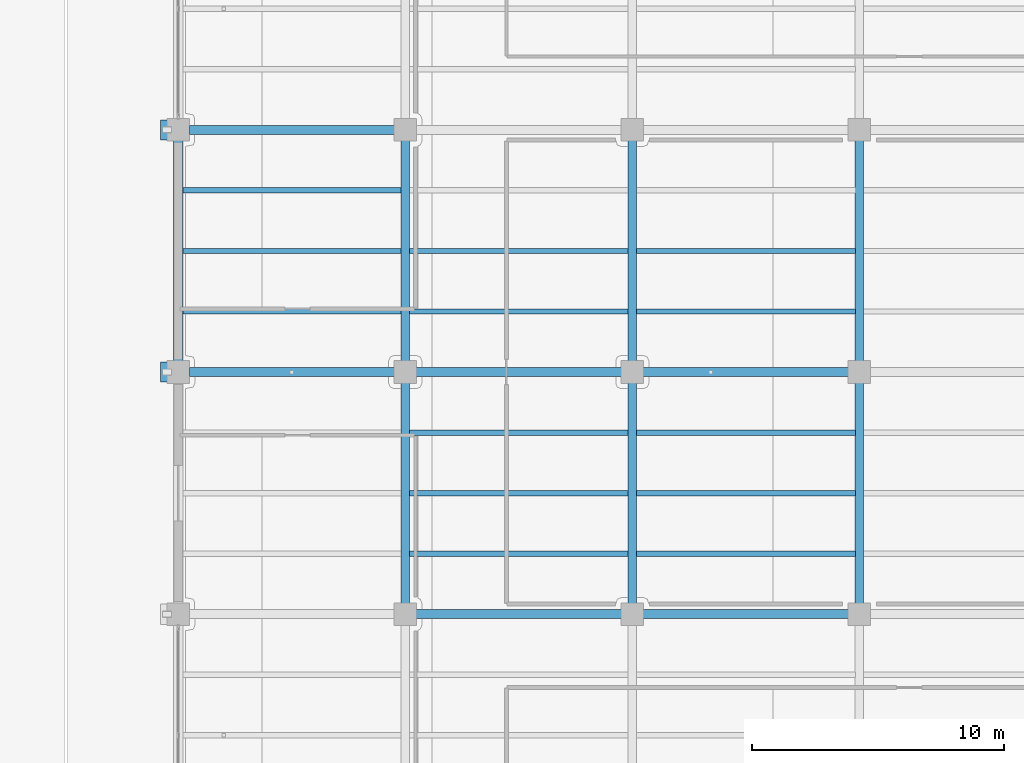
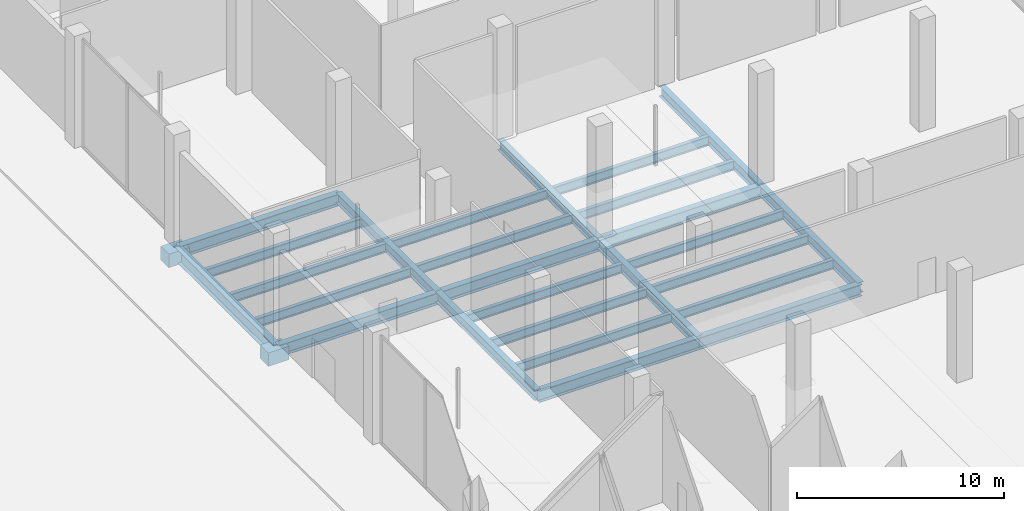
# One storey, part 8 of 45: 28 beams.
"""IFC4 building model written with IfcOpenShell, lengths in metres."""

from ifc_helpers import new_model, si_unit, direction, frame, origin, origin_2d, place, context, subcontext, project, spatial, rectangle, i_section, extrude, material, material_profile, profile_set, type_object, element, save


model = new_model("IFC4")

# Units and contexts
model_context = context("Model", 3, precision=1e-05, world=origin(), true_north=direction((0.0, 1.0)))
body_context = subcontext(model_context, "Body", "Model", "MODEL_VIEW")
ifc_project = project(units=[si_unit("LENGTHUNIT", "METRE"), si_unit("AREAUNIT", "SQUARE_METRE"), si_unit("VOLUMEUNIT", "CUBIC_METRE"), si_unit("PLANEANGLEUNIT", "RADIAN"), si_unit("MASSUNIT", "GRAM", prefix="KILO")], contexts=[model_context])

# Site, building, storey
site_placement = place(None, origin())
site = spatial("IfcSite", under=ifc_project, at=site_placement, CompositionType="ELEMENT")
building_placement = place(site_placement, origin())
building = spatial("IfcBuilding", under=site, at=building_placement, Name="Qorvath Tower", CompositionType="ELEMENT")
storey_placement = place(building_placement, origin())
storey = spatial("IfcBuildingStorey", under=building, at=storey_placement, Name="L00", CompositionType="ELEMENT", Elevation=0.0)

# Beams
ifc_material_1 = material(Name="Concrete C50/60", Category="concrete")
ifc_material_profile_1 = material_profile(ifc_material_1, rectangle(XDim=0.800048828125, YDim=0.800048828125, at=origin_2d()), Name="RC 800x800")
ifc_profile_set_1 = profile_set([ifc_material_profile_1], Name="Concrete C50/60")
beam_type_1 = type_object("IfcBeamType", Name="BM-CRB1", PredefinedType="BEAM", material=ifc_profile_set_1)
for number, where, z_axis, x_axis, name in (
    (1, (32.85009765625, 0.0, -0.75), (-1.0, 0.0, 0.0), (0.0, -1.0, 0.0), "MJ-1 RC Bearing Corbel Bracket 05"),
    (2, (32.85009765625, 9.60009765625, -0.75), (-1.0, 0.0, 0.0), (0.0, -1.0, 0.0), "MJ-1 RC Bearing Corbel Bracket 06"),
):
    element("IfcBeam", number, at=place(storey_placement, frame(where, z_axis=z_axis, x_axis=x_axis)), inside=storey, type_object=beam_type_1, Name=name, PredefinedType="BEAM", context=body_context, shape_type="SweptSolid", body=[
        extrude(rectangle(XDim=0.800048828125, YDim=0.800048828125, at=origin_2d()), origin(), (0.0, 0.0, 1.0), 1.150146484375),
    ])
ifc_material_2 = material(Name="Steel ASTM A992 Grade 50", Category="steel")
ifc_material_profile_2 = material_profile(ifc_material_2, i_section(OverallWidth=0.381103515625, OverallDepth=0.77294921875, WebThickness=0.0166015625, FlangeThickness=0.027099609375, FilletRadius=0.01904296875, at=origin_2d()), Name="W30x173")
ifc_profile_set_2 = profile_set([ifc_material_profile_2], Name="Steel ASTM A992 Grade 50")
beam_type_2 = type_object("IfcBeamType", Name="BM-FG3", PredefinedType="BEAM", material=ifc_profile_set_2)
beam_1_placement = place(storey_placement, frame((32.39990234375, 0.0, -0.6865234375), z_axis=(0.0, 1.0, 0.0), x_axis=(-1.0, 0.0, 0.0)))
element("IfcBeam", 3, at=beam_1_placement, inside=storey, type_object=beam_type_2, Name="Library N-S Girder L00-1-5", PredefinedType="BEAM", context=body_context, shape_type="SweptSolid", body=[
    extrude(i_section(OverallWidth=0.381103515625, OverallDepth=0.77294921875, WebThickness=0.0166015625, FlangeThickness=0.027099609375, FilletRadius=0.01904296875, at=origin_2d()), origin(), (0.0, 0.0, 1.0), 9.60009765625),
])
ifc_material_3 = material(Name="Steel ASTM A992 Grade 50", Category="steel")
ifc_material_profile_3 = material_profile(ifc_material_3, i_section(OverallWidth=0.35595703125, OverallDepth=0.696044921875, WebThickness=0.015380859375, FlangeThickness=0.02490234375, FilletRadius=0.01806640625, at=origin_2d()), Name="W27x146")
ifc_profile_set_3 = profile_set([ifc_material_profile_3], Name="Steel ASTM A992 Grade 50")
beam_type_3 = type_object("IfcBeamType", Name="BM-FG4", PredefinedType="BEAM", material=ifc_profile_set_3)
for number, where, z_axis, x_axis, name in (
    (4, (41.39990234375, -9.60009765625, -0.64794921875), (1.0, 0.0, 0.0), (0.0, 1.0, 0.0), "Library E-W Girder L00-4-2"),
    (5, (50.39990234375, -9.60009765625, -0.64794921875), (1.0, 0.0, 0.0), (0.0, 1.0, 0.0), "Library E-W Girder L00-4-3"),
    (6, (32.39990234375, 0.0, -0.64794921875), (1.0, 0.0, 0.0), (0.0, 1.0, 0.0), "Library E-W Girder L00-5-1"),
    (7, (41.39990234375, 0.0, -0.64794921875), (1.0, 0.0, 0.0), (0.0, 1.0, 0.0), "Library E-W Girder L00-5-2"),
    (8, (50.39990234375, 0.0, -0.64794921875), (1.0, 0.0, 0.0), (0.0, 1.0, 0.0), "Library E-W Girder L00-5-3"),
    (9, (32.39990234375, 9.60009765625, -0.64794921875), (1.0, 0.0, 0.0), (0.0, 1.0, 0.0), "Library E-W Girder L00-6-1"),
):
    element("IfcBeam", number, at=place(storey_placement, frame(where, z_axis=z_axis, x_axis=x_axis)), inside=storey, type_object=beam_type_3, Name=name, PredefinedType="BEAM", context=body_context, shape_type="SweptSolid", body=[
        extrude(i_section(OverallWidth=0.35595703125, OverallDepth=0.696044921875, WebThickness=0.015380859375, FlangeThickness=0.02490234375, FilletRadius=0.01806640625, at=origin_2d()), origin(), (0.0, 0.0, 1.0), 9.0),
    ])
ifc_material_4 = material(Name="Steel ASTM A992 Grade 50", Category="steel")
ifc_material_profile_4 = material_profile(ifc_material_4, i_section(OverallWidth=0.324951171875, OverallDepth=0.615966796875, WebThickness=0.013916015625, FlangeThickness=0.021484375, FilletRadius=0.01611328125, at=origin_2d()), Name="W24x117")
ifc_profile_set_4 = profile_set([ifc_material_profile_4], Name="Steel ASTM A992 Grade 50")
beam_type_4 = type_object("IfcBeamType", Name="BM-FG5", PredefinedType="BEAM", material=ifc_profile_set_4)
for number, where, z_axis, x_axis, name in (
    (10, (41.39990234375, -9.60009765625, -0.60791015625), (0.0, 1.0, 0.0), (-1.0, 0.0, 0.0), "Library N-S Girder L00-2-4"),
    (11, (41.39990234375, 0.0, -0.60791015625), (0.0, 1.0, 0.0), (-1.0, 0.0, 0.0), "Library N-S Girder L00-2-5"),
    (12, (50.39990234375, -9.60009765625, -0.60791015625), (0.0, 1.0, 0.0), (-1.0, 0.0, 0.0), "Library N-S Girder L00-3-4"),
    (13, (50.39990234375, 0.0, -0.60791015625), (0.0, 1.0, 0.0), (-1.0, 0.0, 0.0), "Library N-S Girder L00-3-5"),
    (14, (59.39990234375, -9.60009765625, -0.60791015625), (0.0, 1.0, 0.0), (-1.0, 0.0, 0.0), "Library N-S Girder L00-4-4"),
    (15, (59.39990234375, 0.0, -0.60791015625), (0.0, 1.0, 0.0), (-1.0, 0.0, 0.0), "Library N-S Girder L00-4-5"),
):
    element("IfcBeam", number, at=place(storey_placement, frame(where, z_axis=z_axis, x_axis=x_axis)), inside=storey, type_object=beam_type_4, Name=name, PredefinedType="BEAM", context=body_context, shape_type="SweptSolid", body=[
        extrude(i_section(OverallWidth=0.324951171875, OverallDepth=0.615966796875, WebThickness=0.013916015625, FlangeThickness=0.021484375, FilletRadius=0.01611328125, at=origin_2d()), origin(), (0.0, 0.0, 1.0), 9.60009765625),
    ])
ifc_material_5 = material(Name="Steel ASTM A992 Grade 50", Category="steel")
ifc_material_profile_5 = material_profile(ifc_material_5, i_section(OverallWidth=0.2119140625, OverallDepth=0.5439453125, WebThickness=0.01318359375, FlangeThickness=0.021240234375, FilletRadius=0.013916015625, at=origin_2d()), Name="W21x83")
ifc_profile_set_5 = profile_set([ifc_material_profile_5], Name="Steel ASTM A992 Grade 50")
beam_type_5 = type_object("IfcBeamType", Name="BM-FJ1", PredefinedType="JOIST", material=ifc_profile_set_5)
for number, where, z_axis, x_axis, name in (
    (16, (41.560546875, -7.199951171875, -0.572021484375), (1.0, 0.0, 0.0), (0.0, 1.0, 0.0), "Library Stack Joist L00-4.1-2"),
    (17, (50.560546875, -7.199951171875, -0.572021484375), (1.0, 0.0, 0.0), (0.0, 1.0, 0.0), "Library Stack Joist L00-4.1-3"),
    (18, (41.560546875, -4.800048828125, -0.572021484375), (1.0, 0.0, 0.0), (0.0, 1.0, 0.0), "Library Stack Joist L00-4.2-2"),
    (19, (50.560546875, -4.800048828125, -0.572021484375), (1.0, 0.0, 0.0), (0.0, 1.0, 0.0), "Library Stack Joist L00-4.2-3"),
    (20, (41.560546875, -2.39990234375, -0.572021484375), (1.0, 0.0, 0.0), (0.0, 1.0, 0.0), "Library Stack Joist L00-4.3-2"),
    (21, (50.560546875, -2.39990234375, -0.572021484375), (1.0, 0.0, 0.0), (0.0, 1.0, 0.0), "Library Stack Joist L00-4.3-3"),
):
    element("IfcBeam", number, at=place(storey_placement, frame(where, z_axis=z_axis, x_axis=x_axis)), inside=storey, type_object=beam_type_5, Name=name, PredefinedType="JOIST", context=body_context, shape_type="SweptSolid", body=[
        extrude(i_section(OverallWidth=0.2119140625, OverallDepth=0.5439453125, WebThickness=0.01318359375, FlangeThickness=0.021240234375, FilletRadius=0.013916015625, at=origin_2d()), origin(), (0.0, 0.0, 1.0), 8.678955078125),
    ])
beam_2_placement = place(storey_placement, frame((32.58837890625, 2.39990234375, -0.572021484375), z_axis=(1.0, 0.0, 0.0), x_axis=(0.0, 1.0, 0.0)))
element("IfcBeam", 22, at=beam_2_placement, inside=storey, type_object=beam_type_5, Name="Library Stack Joist L00-5.1-1", PredefinedType="JOIST", context=body_context, shape_type="SweptSolid", body=[
    extrude(i_section(OverallWidth=0.2119140625, OverallDepth=0.5439453125, WebThickness=0.01318359375, FlangeThickness=0.021240234375, FilletRadius=0.013916015625, at=origin_2d()), origin(), (0.0, 0.0, 1.0), 8.651123046875),
])
for number, where, z_axis, x_axis, name in (
    (23, (41.560546875, 2.39990234375, -0.572021484375), (1.0, 0.0, 0.0), (0.0, 1.0, 0.0), "Library Stack Joist L00-5.1-2"),
    (24, (50.560546875, 2.39990234375, -0.572021484375), (1.0, 0.0, 0.0), (0.0, 1.0, 0.0), "Library Stack Joist L00-5.1-3"),
):
    element("IfcBeam", number, at=place(storey_placement, frame(where, z_axis=z_axis, x_axis=x_axis)), inside=storey, type_object=beam_type_5, Name=name, PredefinedType="JOIST", context=body_context, shape_type="SweptSolid", body=[
        extrude(i_section(OverallWidth=0.2119140625, OverallDepth=0.5439453125, WebThickness=0.01318359375, FlangeThickness=0.021240234375, FilletRadius=0.013916015625, at=origin_2d()), origin(), (0.0, 0.0, 1.0), 8.678955078125),
    ])
beam_3_placement = place(storey_placement, frame((32.58837890625, 4.800048828125, -0.572021484375), z_axis=(1.0, 0.0, 0.0), x_axis=(0.0, 1.0, 0.0)))
element("IfcBeam", 25, at=beam_3_placement, inside=storey, type_object=beam_type_5, Name="Library Stack Joist L00-5.2-1", PredefinedType="JOIST", context=body_context, shape_type="SweptSolid", body=[
    extrude(i_section(OverallWidth=0.2119140625, OverallDepth=0.5439453125, WebThickness=0.01318359375, FlangeThickness=0.021240234375, FilletRadius=0.013916015625, at=origin_2d()), origin(), (0.0, 0.0, 1.0), 8.651123046875),
])
for number, where, z_axis, x_axis, name in (
    (26, (41.560546875, 4.800048828125, -0.572021484375), (1.0, 0.0, 0.0), (0.0, 1.0, 0.0), "Library Stack Joist L00-5.2-2"),
    (27, (50.560546875, 4.800048828125, -0.572021484375), (1.0, 0.0, 0.0), (0.0, 1.0, 0.0), "Library Stack Joist L00-5.2-3"),
):
    element("IfcBeam", number, at=place(storey_placement, frame(where, z_axis=z_axis, x_axis=x_axis)), inside=storey, type_object=beam_type_5, Name=name, PredefinedType="JOIST", context=body_context, shape_type="SweptSolid", body=[
        extrude(i_section(OverallWidth=0.2119140625, OverallDepth=0.5439453125, WebThickness=0.01318359375, FlangeThickness=0.021240234375, FilletRadius=0.013916015625, at=origin_2d()), origin(), (0.0, 0.0, 1.0), 8.678955078125),
    ])
beam_4_placement = place(storey_placement, frame((32.58837890625, 7.199951171875, -0.572021484375), z_axis=(1.0, 0.0, 0.0), x_axis=(0.0, 1.0, 0.0)))
element("IfcBeam", 28, at=beam_4_placement, inside=storey, type_object=beam_type_5, Name="Library Stack Joist L00-5.3-1", PredefinedType="JOIST", context=body_context, shape_type="SweptSolid", body=[
    extrude(i_section(OverallWidth=0.2119140625, OverallDepth=0.5439453125, WebThickness=0.01318359375, FlangeThickness=0.021240234375, FilletRadius=0.013916015625, at=origin_2d()), origin(), (0.0, 0.0, 1.0), 8.651123046875),
])

save(model, "model.ifc")
